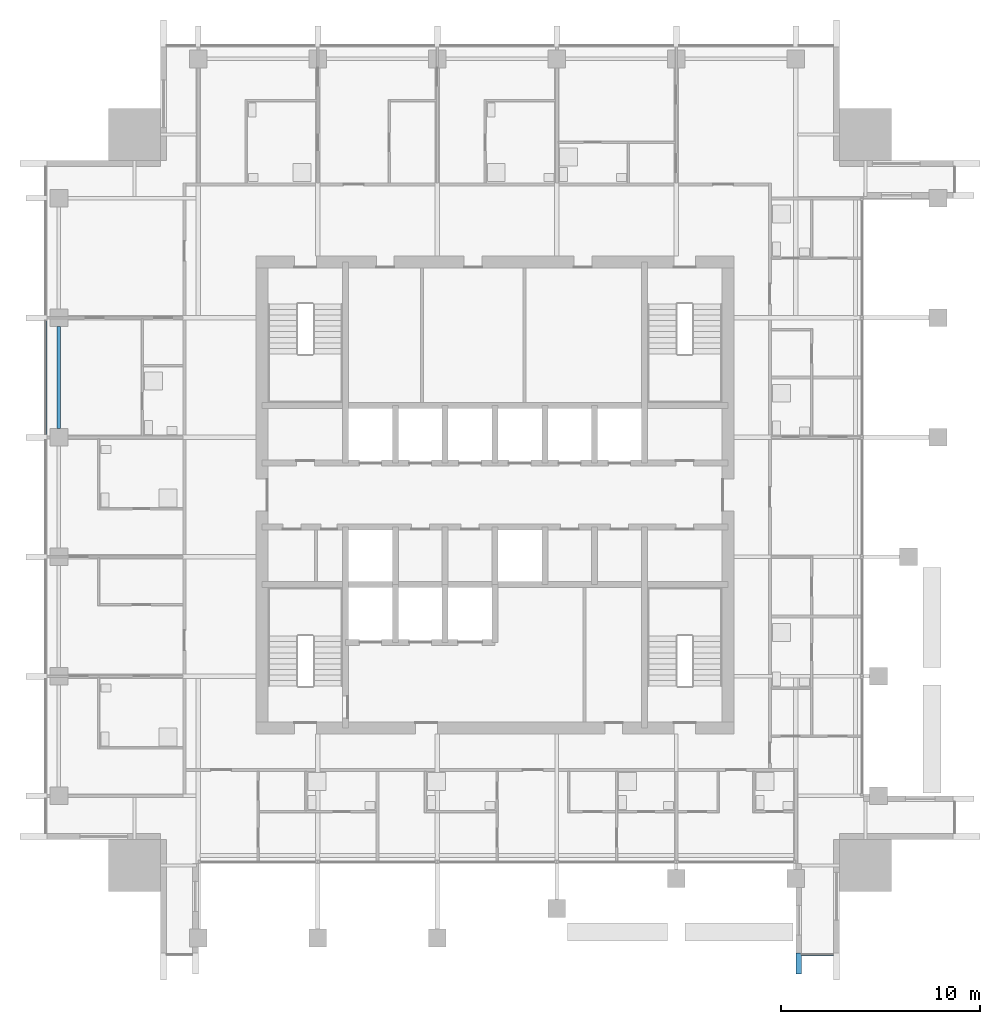
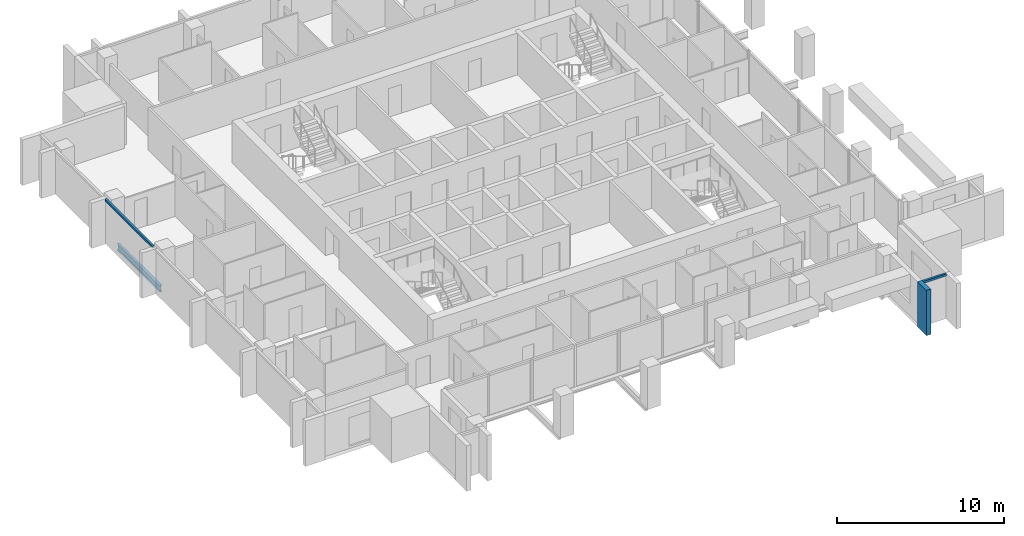
# One storey, part 3 of 14: 3 members, 1 beam, 2 elements without a shape of their own.
"""IFC4 building model written with IfcOpenShell, lengths in metres."""

from ifc_helpers import new_model, si_unit, direction, frame, origin, origin_2d, place, context, subcontext, project, spatial, rectangle, i_section, extrude, material, material_profile, profile_set, type_object, element, aggregate, save


model = new_model("IFC4")

# Units and contexts
model_context = context("Model", 3, precision=1e-05, world=origin(), true_north=direction((0.0, 1.0)))
body_context = subcontext(model_context, "Body", "Model", "MODEL_VIEW")
ifc_project = project(units=[si_unit("LENGTHUNIT", "METRE"), si_unit("AREAUNIT", "SQUARE_METRE"), si_unit("VOLUMEUNIT", "CUBIC_METRE"), si_unit("PLANEANGLEUNIT", "RADIAN"), si_unit("MASSUNIT", "GRAM", prefix="KILO")], contexts=[model_context])

# Site, building, storey
site_placement = place(None, origin())
site = spatial("IfcSite", under=ifc_project, at=site_placement, CompositionType="ELEMENT")
building_placement = place(site_placement, origin())
building = spatial("IfcBuilding", under=site, at=building_placement, Name="Amberfall Residences", CompositionType="ELEMENT")
storey_placement = place(building_placement, frame((0.0, 0.0, 220.0)))
storey = spatial("IfcBuildingStorey", under=building, at=storey_placement, Name="L59", CompositionType="ELEMENT", Elevation=220.0)

# Curtain wall, member
ifc_material_1 = material(Name="Bronze anodised aluminium and glass", Category="aluminium")
curtain_wall_type = type_object("IfcCurtainWallType", Name="Curtain wall CW1 tower unit", PredefinedType="USERDEFINED", material=ifc_material_1)
curtain_wall_1_placement = place(storey_placement, origin())
curtain_wall_1 = element("IfcCurtainWall", 1, at=curtain_wall_1_placement, inside=storey, type_object=curtain_wall_type, Name="Curtain wall L59 S S9", ObjectType="UNITISED CURTAIN WALL", PredefinedType="USERDEFINED")
ifc_material_2 = material(Name="Bronze anodised aluminium", Category="aluminium")
ifc_material_profile_1 = material_profile(ifc_material_2, rectangle(XDim=0.14990234375, YDim=0.14990234375, at=origin_2d()), Name="CW1 transom 150 x 150 bronze")
ifc_profile_set_1 = profile_set([ifc_material_profile_1], Name="Bronze anodised aluminium")
member_type_1 = type_object("IfcMemberType", Name="CW1 transom 150 x 150 bronze", PredefinedType="USERDEFINED", material=ifc_profile_set_1)
member_1_placement = place(storey_placement, frame((89.89990234375, 22.425048828125, 2.97509765625), z_axis=(1.0, 0.0, 0.0), x_axis=(0.0, 1.0, 0.0)))
member_1 = element("IfcMember", 2, at=member_1_placement, type_object=member_type_1, Name="CW1 transom 1.1", ObjectType="TRANSOM", PredefinedType="USERDEFINED", context=body_context, shape_type="SweptSolid", body=[
    extrude(rectangle(XDim=0.14990234375, YDim=0.14990234375, at=origin_2d()), origin(), (0.0, 0.0, 1.0), 1.60009765625),
])

curtain_wall_2_placement = place(storey_placement, origin())
curtain_wall_2 = element("IfcCurtainWall", 3, at=curtain_wall_2_placement, inside=storey, type_object=curtain_wall_type, Name="Curtain wall L59 W W1", ObjectType="UNITISED CURTAIN WALL", PredefinedType="USERDEFINED")
member_2_placement = place(storey_placement, frame((51.925048828125, 54.25, 2.97509765625), z_axis=(0.0, -1.0, 0.0), x_axis=(1.0, 0.0, 0.0)))
member_2 = element("IfcMember", 4, at=member_2_placement, type_object=member_type_1, Name="CW1 transom 3.1", ObjectType="TRANSOM", PredefinedType="USERDEFINED", context=body_context, shape_type="SweptSolid", body=[
    extrude(rectangle(XDim=0.14990234375, YDim=0.14990234375, at=origin_2d()), origin(), (0.0, 0.0, 1.0), 5.699951171875),
])
aggregate(curtain_wall_2, [member_2])

# Beam
ifc_material_3 = material(Name="Steel S355", Category="steel")
ifc_material_profile_2 = material_profile(ifc_material_3, i_section(OverallWidth=0.18994140625, OverallDepth=0.453369140625, WebThickness=0.008544921875, FlangeThickness=0.0126953125, FilletRadius=0.01025390625, at=origin_2d()), Name="UB 457x191x67")
ifc_profile_set_2 = profile_set([ifc_material_profile_2], Name="Steel S355")
beam_type = type_object("IfcBeamType", Name="Edge beam UB 457x191x67", PredefinedType="SPANDREL", material=ifc_profile_set_2)
beam_placement = place(storey_placement, frame((52.60009765625, 48.85009765625, -0.476806640625), z_axis=(0.0, 1.0, 0.0), x_axis=(-1.0, 0.0, 0.0)))
element("IfcBeam", 5, at=beam_placement, inside=storey, type_object=beam_type, Name="Edge beam B1 L59 37", PredefinedType="SPANDREL", context=body_context, shape_type="SweptSolid", body=[
    extrude(i_section(OverallWidth=0.18994140625, OverallDepth=0.453369140625, WebThickness=0.008544921875, FlangeThickness=0.0126953125, FilletRadius=0.01025390625, at=origin_2d()), origin(), (0.0, 0.0, 1.0), 5.099853515625),
])

# Member
ifc_material_profile_3 = material_profile(ifc_material_2, rectangle(XDim=1.050048828125, YDim=0.300048828125, at=origin_2d()), Name="Fin 300 x 1050 bronze")
ifc_profile_set_3 = profile_set([ifc_material_profile_3], Name="Bronze anodised aluminium")
member_type_2 = type_object("IfcMemberType", Name="Fin 300 x 1050 bronze", PredefinedType="MULLION", material=ifc_profile_set_3)
member_3_placement = place(storey_placement, frame((89.75, 21.97509765625, -0.25), z_axis=(0.0, 0.0, 1.0), x_axis=(0.0, 1.0, 0.0)))
member_3 = element("IfcMember", 6, at=member_3_placement, type_object=member_type_2, Name="CW FIN 1", PredefinedType="MULLION", context=body_context, shape_type="SweptSolid", body=[
    extrude(rectangle(XDim=1.050048828125, YDim=0.300048828125, at=origin_2d()), origin(), (0.0, 0.0, 1.0), 3.300048828125),
])

aggregate(curtain_wall_1, [member_3, member_1])

save(model, "model.ifc")
